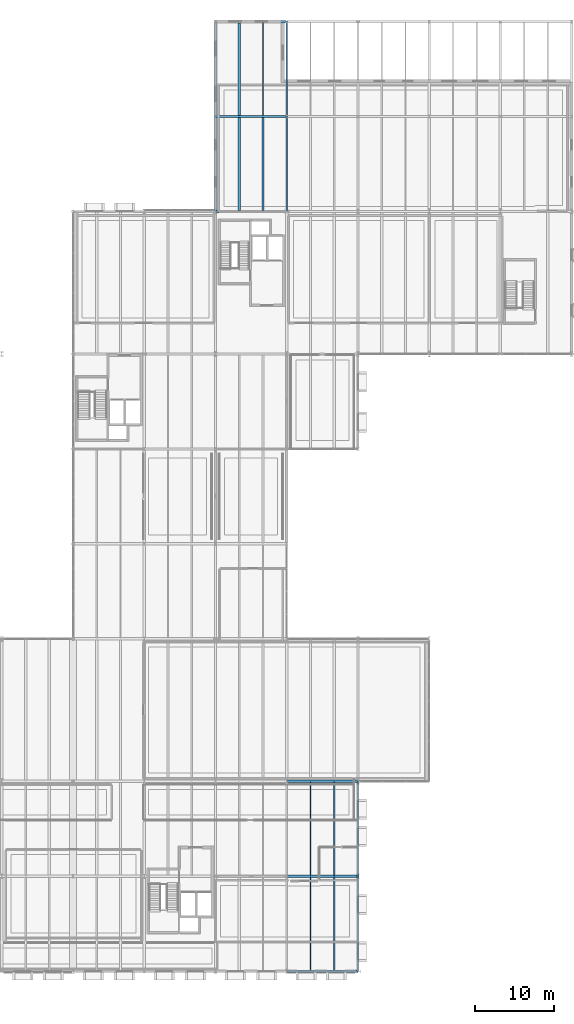
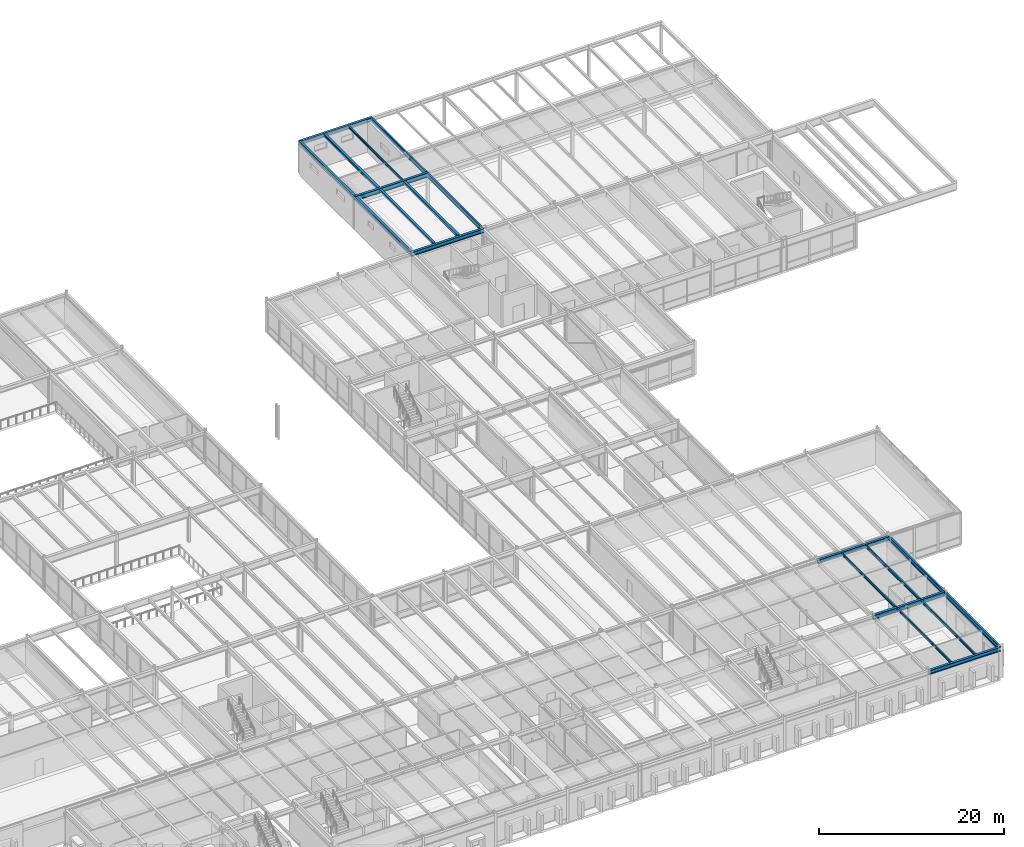
# One storey, part 83 of 127: 20 beams.
"""IFC4 building model written with IfcOpenShell, lengths in metres."""

from ifc_helpers import new_model, si_unit, direction, frame, origin, origin_2d, place, context, subcontext, project, spatial, i_section, extrude, material, material_profile, profile_set, type_object, element, save


model = new_model("IFC4")

# Units and contexts
model_context = context("Model", 3, precision=1e-05, world=origin(), true_north=direction((0.0, 1.0)))
body_context = subcontext(model_context, "Body", "Model", "MODEL_VIEW")
ifc_project = project(units=[si_unit("LENGTHUNIT", "METRE"), si_unit("AREAUNIT", "SQUARE_METRE"), si_unit("VOLUMEUNIT", "CUBIC_METRE"), si_unit("PLANEANGLEUNIT", "RADIAN"), si_unit("MASSUNIT", "GRAM", prefix="KILO")], contexts=[model_context])

# Site, building, storey
site_placement = place(None, origin())
site = spatial("IfcSite", under=ifc_project, at=site_placement, CompositionType="ELEMENT")
building_placement = place(site_placement, origin())
building = spatial("IfcBuilding", under=site, at=building_placement, Name="Montelvaro Courts of Justice", CompositionType="ELEMENT")
storey_placement = place(building_placement, frame((0.0, 0.0, 5.39990234375)))
storey = spatial("IfcBuildingStorey", under=building, at=storey_placement, Name="L01", CompositionType="ELEMENT", Elevation=5.39990234375)

# Beams
ifc_material = material(Name="Steel S355", Category="steel")
ifc_material_profile_1 = material_profile(ifc_material, i_section(OverallWidth=0.280029296875, OverallDepth=0.27001953125, WebThickness=0.008056640625, FlangeThickness=0.012939453125, at=origin_2d()), Name="HEA 280")
ifc_profile_set_1 = profile_set([ifc_material_profile_1], Name="Steel S355")
beam_type_1 = type_object("IfcBeamType", Name="Beam_HEA280", PredefinedType="BEAM", material=ifc_profile_set_1)
beam_1_placement = place(storey_placement, frame((120.0, 96.110107421875, 4.1650390625), z_axis=(0.0, 1.0, 0.0), x_axis=(-1.0, 0.0, 0.0)))
element("IfcBeam", 1, at=beam_1_placement, inside=storey, type_object=beam_type_1, Name="Beam B-14 L01", PredefinedType="BEAM", context=body_context, shape_type="SweptSolid", body=[
    extrude(i_section(OverallWidth=0.280029296875, OverallDepth=0.27001953125, WebThickness=0.008056640625, FlangeThickness=0.012939453125, at=origin_2d()), origin(), (0.0, 0.0, 1.0), 11.77978515625),
])
ifc_material_profile_2 = material_profile(ifc_material, i_section(OverallWidth=0.300048828125, OverallDepth=0.31005859375, WebThickness=0.009033203125, FlangeThickness=0.015380859375, at=origin_2d()), Name="HEA 320")
ifc_profile_set_2 = profile_set([ifc_material_profile_2], Name="Steel S355")
beam_type_2 = type_object("IfcBeamType", Name="Beam_HEA320", PredefinedType="BEAM", material=ifc_profile_set_2)
for number, where, z_axis, x_axis, name in (
    (2, (123.0, 96.110107421875, 4.14501953125), (0.0, 1.0, 0.0), (-1.0, 0.0, 0.0), "Beam B-15 L01"),
    (3, (120.0, 108.110107421875, 4.14501953125), (0.0, 1.0, 0.0), (-1.0, 0.0, 0.0), "Beam B-15 L01"),
):
    element("IfcBeam", number, at=place(storey_placement, frame(where, z_axis=z_axis, x_axis=x_axis)), inside=storey, type_object=beam_type_2, Name=name, PredefinedType="BEAM", context=body_context, shape_type="SweptSolid", body=[
        extrude(i_section(OverallWidth=0.300048828125, OverallDepth=0.31005859375, WebThickness=0.009033203125, FlangeThickness=0.015380859375, at=origin_2d()), origin(), (0.0, 0.0, 1.0), 11.77978515625),
    ])
ifc_material_profile_3 = material_profile(ifc_material, i_section(OverallWidth=0.300048828125, OverallDepth=0.489990234375, WebThickness=0.011962890625, FlangeThickness=0.02294921875, at=origin_2d()), Name="HEA 500")
ifc_profile_set_3 = profile_set([ifc_material_profile_3], Name="Steel S355")
beam_type_3 = type_object("IfcBeamType", Name="Beam_HEA500", PredefinedType="USERDEFINED", material=ifc_profile_set_3)
for number, where, z_axis, x_axis, name in (
    (4, (117.0, 96.0, 4.05517578125), (0.0, 1.0, 0.0), (-1.0, 0.0, 0.0), "Beam B-19 L01"),
    (5, (117.0, 108.0, 4.05517578125), (0.0, 1.0, 0.0), (-1.0, 0.0, 0.0), "Beam B-19 L01"),
):
    element("IfcBeam", number, at=place(storey_placement, frame(where, z_axis=z_axis, x_axis=x_axis)), inside=storey, type_object=beam_type_3, Name=name, ObjectType="GIRDER", PredefinedType="USERDEFINED", context=body_context, shape_type="SweptSolid", body=[
        extrude(i_section(OverallWidth=0.300048828125, OverallDepth=0.489990234375, WebThickness=0.011962890625, FlangeThickness=0.02294921875, at=origin_2d()), origin(), (0.0, 0.0, 1.0), 12.0),
    ])
ifc_material_profile_4 = material_profile(ifc_material, i_section(OverallWidth=0.300048828125, OverallDepth=0.5400390625, WebThickness=0.012451171875, FlangeThickness=0.02392578125, at=origin_2d()), Name="HEA 550")
ifc_profile_set_4 = profile_set([ifc_material_profile_4], Name="Steel S355")
beam_type_4 = type_object("IfcBeamType", Name="Beam_HEA550", PredefinedType="USERDEFINED", material=ifc_profile_set_4)
for number, where, z_axis, x_axis, name in (
    (6, (126.0, 0.0, 3.91015625), (1.0, 0.0, 0.0), (0.0, 1.0, 0.0), "Beam B-20 L01"),
    (7, (117.0, 96.0, 3.93017578125), (1.0, 0.0, 0.0), (0.0, 1.0, 0.0), "Beam B-20 L01"),
):
    element("IfcBeam", number, at=place(storey_placement, frame(where, z_axis=z_axis, x_axis=x_axis)), inside=storey, type_object=beam_type_4, Name=name, ObjectType="GIRDER", PredefinedType="USERDEFINED", context=body_context, shape_type="SweptSolid", body=[
        extrude(i_section(OverallWidth=0.300048828125, OverallDepth=0.5400390625, WebThickness=0.012451171875, FlangeThickness=0.02392578125, at=origin_2d()), origin(), (0.0, 0.0, 1.0), 9.0),
    ])
ifc_material_profile_5 = material_profile(ifc_material, i_section(OverallWidth=0.300048828125, OverallDepth=0.590087890625, WebThickness=0.012939453125, FlangeThickness=0.02490234375, at=origin_2d()), Name="HEA 600")
ifc_profile_set_5 = profile_set([ifc_material_profile_5], Name="Steel S355")
beam_type_5 = type_object("IfcBeamType", Name="Beam_HEA600", PredefinedType="USERDEFINED", material=ifc_profile_set_5)
for number, where, z_axis, x_axis, name in (
    (8, (126.0, 12.0, 3.885009765625), (1.0, 0.0, 0.0), (0.0, 1.0, 0.0), "Beam B-21 L01"),
    (9, (117.0, 108.0, 4.005126953125), (1.0, 0.0, 0.0), (0.0, 1.0, 0.0), "Beam B-21 L01"),
):
    element("IfcBeam", number, at=place(storey_placement, frame(where, z_axis=z_axis, x_axis=x_axis)), inside=storey, type_object=beam_type_5, Name=name, ObjectType="GIRDER", PredefinedType="USERDEFINED", context=body_context, shape_type="SweptSolid", body=[
        extrude(i_section(OverallWidth=0.300048828125, OverallDepth=0.590087890625, WebThickness=0.012939453125, FlangeThickness=0.02490234375, at=origin_2d()), origin(), (0.0, 0.0, 1.0), 9.0),
    ])
ifc_material_profile_6 = material_profile(ifc_material, i_section(OverallWidth=0.300048828125, OverallDepth=0.5, WebThickness=0.014404296875, FlangeThickness=0.028076171875, at=origin_2d()), Name="HEB 500")
ifc_profile_set_6 = profile_set([ifc_material_profile_6], Name="Steel S355")
beam_type_6 = type_object("IfcBeamType", Name="Beam_HEB500", PredefinedType="USERDEFINED", material=ifc_profile_set_6)
for number, where, z_axis, x_axis, name in (
    (10, (126.0, 24.0, 3.93017578125), (1.0, 0.0, 0.0), (0.0, 1.0, 0.0), "Beam B-25 L01"),
    (11, (117.0, 120.0, 4.050048828125), (1.0, 0.0, 0.0), (0.0, 1.0, 0.0), "Beam B-25 L01"),
):
    element("IfcBeam", number, at=place(storey_placement, frame(where, z_axis=z_axis, x_axis=x_axis)), inside=storey, type_object=beam_type_6, Name=name, ObjectType="GIRDER", PredefinedType="USERDEFINED", context=body_context, shape_type="SweptSolid", body=[
        extrude(i_section(OverallWidth=0.300048828125, OverallDepth=0.5, WebThickness=0.014404296875, FlangeThickness=0.028076171875, at=origin_2d()), origin(), (0.0, 0.0, 1.0), 9.0),
    ])
ifc_material_profile_7 = material_profile(ifc_material, i_section(OverallWidth=0.14990234375, OverallDepth=0.300048828125, WebThickness=0.007080078125, FlangeThickness=0.0107421875, at=origin_2d()), Name="IPE 300")
ifc_profile_set_7 = profile_set([ifc_material_profile_7], Name="Steel S355")
beam_type_7 = type_object("IfcBeamType", Name="Beam_IPE300", PredefinedType="BEAM", material=ifc_profile_set_7)
for number, where, z_axis, x_axis, name in (
    (12, (123.0, 108.110107421875, 4.150146484375), (0.0, 1.0, 0.0), (-1.0, 0.0, 0.0), "Beam B-05 L01"),
    (13, (129.0, 0.110107421875, 4.030029296875), (0.0, 1.0, 0.0), (-1.0, 0.0, 0.0), "Beam B-05 L01"),
):
    element("IfcBeam", number, at=place(storey_placement, frame(where, z_axis=z_axis, x_axis=x_axis)), inside=storey, type_object=beam_type_7, Name=name, PredefinedType="BEAM", context=body_context, shape_type="SweptSolid", body=[
        extrude(i_section(OverallWidth=0.14990234375, OverallDepth=0.300048828125, WebThickness=0.007080078125, FlangeThickness=0.0107421875, at=origin_2d()), origin(), (0.0, 0.0, 1.0), 11.77978515625),
    ])
ifc_material_profile_8 = material_profile(ifc_material, i_section(OverallWidth=0.159912109375, OverallDepth=0.330078125, WebThickness=0.007568359375, FlangeThickness=0.011474609375, at=origin_2d()), Name="IPE 330")
ifc_profile_set_8 = profile_set([ifc_material_profile_8], Name="Steel S355")
beam_type_8 = type_object("IfcBeamType", Name="Beam_IPE330", PredefinedType="BEAM", material=ifc_profile_set_8)
for number, where, z_axis, x_axis, name in (
    (14, (132.0, 0.110107421875, 4.01513671875), (0.0, 1.0, 0.0), (-1.0, 0.0, 0.0), "Beam B-06 L01"),
    (15, (129.0, 12.110107421875, 4.01513671875), (0.0, 1.0, 0.0), (-1.0, 0.0, 0.0), "Beam B-06 L01"),
):
    element("IfcBeam", number, at=place(storey_placement, frame(where, z_axis=z_axis, x_axis=x_axis)), inside=storey, type_object=beam_type_8, Name=name, PredefinedType="BEAM", context=body_context, shape_type="SweptSolid", body=[
        extrude(i_section(OverallWidth=0.159912109375, OverallDepth=0.330078125, WebThickness=0.007568359375, FlangeThickness=0.011474609375, at=origin_2d()), origin(), (0.0, 0.0, 1.0), 11.77978515625),
    ])
ifc_material_profile_9 = material_profile(ifc_material, i_section(OverallWidth=0.169921875, OverallDepth=0.360107421875, WebThickness=0.008056640625, FlangeThickness=0.0126953125, at=origin_2d()), Name="IPE 360")
ifc_profile_set_9 = profile_set([ifc_material_profile_9], Name="Steel S355")
beam_type_9 = type_object("IfcBeamType", Name="Beam_IPE360", PredefinedType="BEAM", material=ifc_profile_set_9)
beam_2_placement = place(storey_placement, frame((132.0, 12.110107421875, 4.0), z_axis=(0.0, 1.0, 0.0), x_axis=(-1.0, 0.0, 0.0)))
element("IfcBeam", 16, at=beam_2_placement, inside=storey, type_object=beam_type_9, Name="Beam B-07 L01", PredefinedType="BEAM", context=body_context, shape_type="SweptSolid", body=[
    extrude(i_section(OverallWidth=0.169921875, OverallDepth=0.360107421875, WebThickness=0.008056640625, FlangeThickness=0.0126953125, at=origin_2d()), origin(), (0.0, 0.0, 1.0), 11.77978515625),
])
ifc_material_profile_10 = material_profile(ifc_material, i_section(OverallWidth=0.2099609375, OverallDepth=0.550048828125, WebThickness=0.010986328125, FlangeThickness=0.01708984375, at=origin_2d()), Name="IPE 550")
ifc_profile_set_10 = profile_set([ifc_material_profile_10], Name="Steel S355")
beam_type_10 = type_object("IfcBeamType", Name="Beam_IPE550", PredefinedType="BEAM", material=ifc_profile_set_10)
for number, where, z_axis, x_axis, name in (
    (17, (126.0, 96.0, 3.925048828125), (0.0, 1.0, 0.0), (-1.0, 0.0, 0.0), "Beam B-11 L01"),
    (18, (126.0, 108.0, 3.925048828125), (0.0, 1.0, 0.0), (-1.0, 0.0, 0.0), "Beam B-11 L01"),
):
    element("IfcBeam", number, at=place(storey_placement, frame(where, z_axis=z_axis, x_axis=x_axis)), inside=storey, type_object=beam_type_10, Name=name, PredefinedType="BEAM", context=body_context, shape_type="SweptSolid", body=[
        extrude(i_section(OverallWidth=0.2099609375, OverallDepth=0.550048828125, WebThickness=0.010986328125, FlangeThickness=0.01708984375, at=origin_2d()), origin(), (0.0, 0.0, 1.0), 12.0),
    ])
ifc_material_profile_11 = material_profile(ifc_material, i_section(OverallWidth=0.219970703125, OverallDepth=0.60009765625, WebThickness=0.011962890625, FlangeThickness=0.01904296875, at=origin_2d()), Name="IPE 600")
ifc_profile_set_11 = profile_set([ifc_material_profile_11], Name="Steel S355")
beam_type_11 = type_object("IfcBeamType", Name="Beam_IPE600", PredefinedType="USERDEFINED", material=ifc_profile_set_11)
for number, where, z_axis, x_axis, name in (
    (19, (135.0, 0.0, 3.880126953125), (0.0, 1.0, 0.0), (-1.0, 0.0, 0.0), "Beam B-12 L01"),
    (20, (135.0, 12.0, 3.880126953125), (0.0, 1.0, 0.0), (-1.0, 0.0, 0.0), "Beam B-12 L01"),
):
    element("IfcBeam", number, at=place(storey_placement, frame(where, z_axis=z_axis, x_axis=x_axis)), inside=storey, type_object=beam_type_11, Name=name, ObjectType="GIRDER", PredefinedType="USERDEFINED", context=body_context, shape_type="SweptSolid", body=[
        extrude(i_section(OverallWidth=0.219970703125, OverallDepth=0.60009765625, WebThickness=0.011962890625, FlangeThickness=0.01904296875, at=origin_2d()), origin(), (0.0, 0.0, 1.0), 12.0),
    ])

save(model, "model.ifc")
